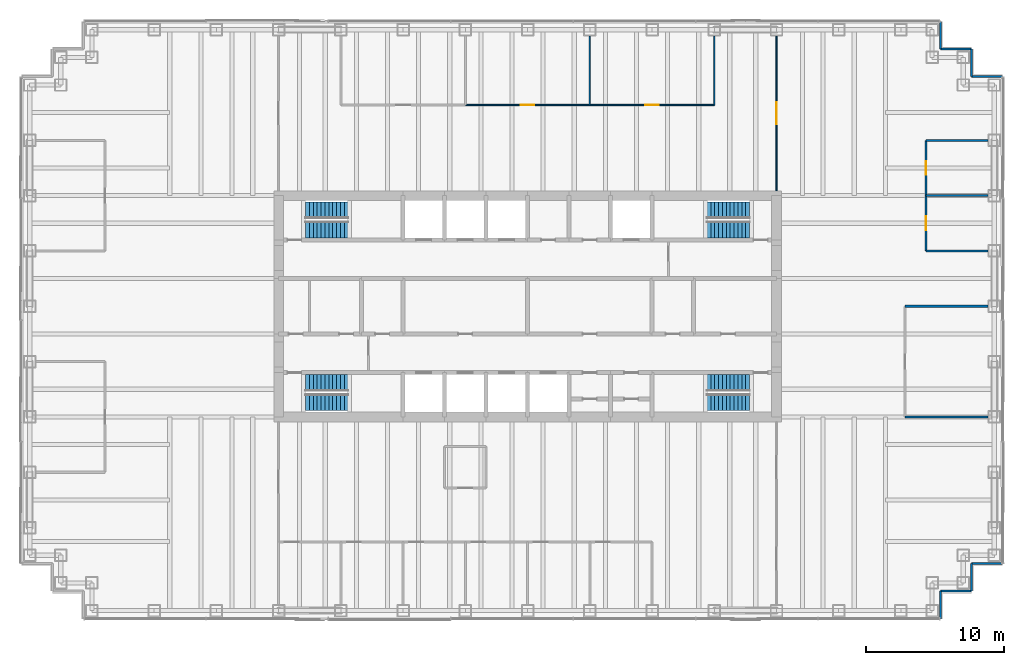
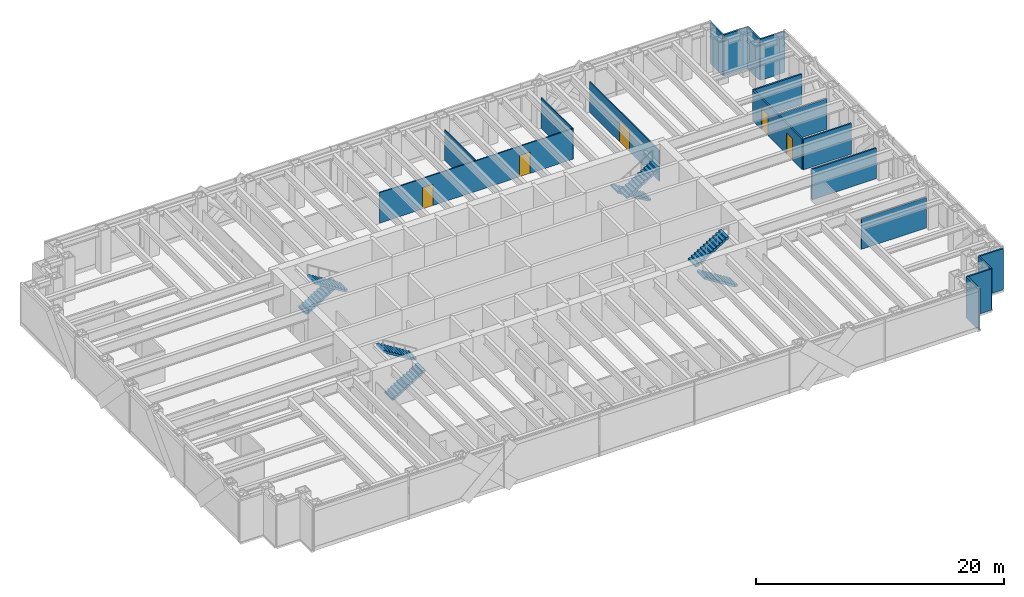
# One storey, part 16 of 17: 18 walls, 8 stair flights, 5 doors, 5 openings, 4 elements without a shape of their own.
"""IFC4 building model written with IfcOpenShell, lengths in metres."""

from ifc_helpers import new_model, si_unit, direction, frame, frame_2d, origin, place, context, subcontext, project, spatial, polyline, rectangle, outline, extrude, material, layer, layer_set, type_object, element, fill, aggregate, save


model = new_model("IFC4")

# Units and contexts
model_context = context("Model", 3, precision=1e-05, world=origin(), true_north=direction((0.0, 1.0)))
body_context = subcontext(model_context, "Body", "Model", "MODEL_VIEW")
ifc_project = project(units=[si_unit("LENGTHUNIT", "METRE"), si_unit("AREAUNIT", "SQUARE_METRE"), si_unit("VOLUMEUNIT", "CUBIC_METRE"), si_unit("PLANEANGLEUNIT", "RADIAN"), si_unit("MASSUNIT", "GRAM", prefix="KILO")], contexts=[model_context])

# Site, building, storey
site_placement = place(None, origin())
site = spatial("IfcSite", under=ifc_project, at=site_placement, CompositionType="ELEMENT")
building_placement = place(site_placement, origin())
building = spatial("IfcBuilding", under=site, at=building_placement, Name="Rheinbord Bourse Tower", CompositionType="ELEMENT")
storey_placement = place(building_placement, frame((0.0, 0.0, 287.89990234375)))
storey = spatial("IfcBuildingStorey", under=building, at=storey_placement, Name="L65", CompositionType="ELEMENT", Elevation=287.89990234375)

# Walls
ifc_material_1 = material(Name="Black metal rainscreen panel", Category="aluminium")
ifc_layer_1 = layer(ifc_material_1, 0.14990234375)
ifc_layer_set_1 = layer_set([ifc_layer_1], Name="CORNER PIER CLADDING 150")
wall_type_1 = type_object("IfcWallType", Name="CORNER PIER CLADDING 150", PredefinedType="ELEMENTEDWALL", material=ifc_layer_set_1)
wall_1_placement = place(storey_placement, frame((65.85009765625, 1.39990234375, 0.0), z_axis=(0.0, 0.0, 1.0), x_axis=(0.0, 1.0, 0.0)))
element("IfcWall", 1, at=wall_1_placement, inside=storey, type_object=wall_type_1, Name="Corner pier cladding L65 2", PredefinedType="ELEMENTEDWALL", context=body_context, shape_type="SweptSolid", body=[
    extrude(rectangle(XDim=2.0, YDim=0.14990234375, at=frame_2d((1.0, 0.0))), origin(), (0.0, 0.0, 1.0), 4.0400390625),
])
wall_2_placement = place(storey_placement, frame((65.85009765625, 3.39990234375, 0.0), z_axis=(0.0, 0.0, 1.0), x_axis=(1.0, 0.0, 0.0)))
element("IfcWall", 2, at=wall_2_placement, inside=storey, type_object=wall_type_1, Name="Corner pier cladding L65 3", PredefinedType="ELEMENTEDWALL", context=body_context, shape_type="SweptSolid", body=[
    extrude(rectangle(XDim=2.25, YDim=0.14990234375, at=frame_2d((1.125, 0.0))), origin(), (0.0, 0.0, 1.0), 4.0400390625),
])
wall_3_placement = place(storey_placement, frame((68.10009765625, 3.39990234375, 0.0), z_axis=(0.0, 0.0, 1.0), x_axis=(0.0, 1.0, 0.0)))
element("IfcWall", 3, at=wall_3_placement, inside=storey, type_object=wall_type_1, Name="Corner pier cladding L65 4", PredefinedType="ELEMENTEDWALL", context=body_context, shape_type="SweptSolid", body=[
    extrude(rectangle(XDim=2.0, YDim=0.14990234375, at=frame_2d((1.0, 0.0))), origin(), (0.0, 0.0, 1.0), 4.0400390625),
])
for number, where, z_axis, x_axis, name in (
    (4, (68.10009765625, 5.39990234375, 0.0), (0.0, 0.0, 1.0), (1.0, 0.0, 0.0), "Corner pier cladding L65 5"),
    (5, (70.35009765625, 40.60009765625, 0.0), (0.0, 0.0, 1.0), (-1.0, 0.0, 0.0), "Corner pier cladding L65 7"),
):
    element("IfcWall", number, at=place(storey_placement, frame(where, z_axis=z_axis, x_axis=x_axis)), inside=storey, type_object=wall_type_1, Name=name, PredefinedType="ELEMENTEDWALL", context=body_context, shape_type="SweptSolid", body=[
        extrude(rectangle(XDim=2.25, YDim=0.14990234375, at=frame_2d((1.125, 0.0))), origin(), (0.0, 0.0, 1.0), 4.0400390625),
    ])
wall_4_placement = place(storey_placement, frame((68.10009765625, 40.60009765625, 0.0), z_axis=(0.0, 0.0, 1.0), x_axis=(0.0, 1.0, 0.0)))
element("IfcWall", 6, at=wall_4_placement, inside=storey, type_object=wall_type_1, Name="Corner pier cladding L65 8", PredefinedType="ELEMENTEDWALL", context=body_context, shape_type="SweptSolid", body=[
    extrude(rectangle(XDim=2.0, YDim=0.14990234375, at=frame_2d((1.0, 0.0))), origin(), (0.0, 0.0, 1.0), 4.0400390625),
])
wall_5_placement = place(storey_placement, frame((68.10009765625, 42.60009765625, 0.0), z_axis=(0.0, 0.0, 1.0), x_axis=(-1.0, 0.0, 0.0)))
element("IfcWall", 7, at=wall_5_placement, inside=storey, type_object=wall_type_1, Name="Corner pier cladding L65 9", PredefinedType="ELEMENTEDWALL", context=body_context, shape_type="SweptSolid", body=[
    extrude(rectangle(XDim=2.25, YDim=0.14990234375, at=frame_2d((1.125, 0.0))), origin(), (0.0, 0.0, 1.0), 4.0400390625),
])
wall_6_placement = place(storey_placement, frame((65.85009765625, 42.60009765625, 0.0), z_axis=(0.0, 0.0, 1.0), x_axis=(0.0, 1.0, 0.0)))
element("IfcWall", 8, at=wall_6_placement, inside=storey, type_object=wall_type_1, Name="Corner pier cladding L65 10", PredefinedType="ELEMENTEDWALL", context=body_context, shape_type="SweptSolid", body=[
    extrude(rectangle(XDim=2.0, YDim=0.14990234375, at=frame_2d((1.0, 0.0))), origin(), (0.0, 0.0, 1.0), 4.0400390625),
])

# Wall, openings, doors
ifc_material_2 = material(Name="Toughened laminated glass partition", Category="glass")
ifc_layer_2 = layer(ifc_material_2, 0.10009765625)
ifc_layer_set_2 = layer_set([ifc_layer_2], Name="GLAZED PARTITION 100")
wall_type_2 = type_object("IfcWallType", Name="GLAZED PARTITION 100", PredefinedType="PARTITIONING", material=ifc_layer_set_2)
wall_7_placement = place(storey_placement, frame((31.5, 38.550048828125, 0.0), z_axis=(0.0, 0.0, 1.0), x_axis=(1.0, 0.0, 0.0)))
wall_7 = element("IfcWall", 9, at=wall_7_placement, inside=storey, type_object=wall_type_2, Name="Partition L65-14", PredefinedType="PARTITIONING", context=body_context, shape_type="SweptSolid", body=[
    extrude(rectangle(XDim=18.0, YDim=0.10009765625, at=frame_2d((9.0, 0.0))), origin(), (0.0, 0.0, 1.0), 3.0),
])
opening_1_placement = place(wall_7_placement, frame((4.0, 0.0, 0.0)))
opening_1 = element("IfcOpeningElement", 10, at=opening_1_placement, cuts=wall_7, Name="Opening 65D14", PredefinedType="OPENING", context=body_context, shape_type="SweptSolid", body=[
    extrude(rectangle(XDim=1.0, YDim=2.10009765625, at=frame_2d((0.5, 1.050048828125))), frame((0.0, 0.06005859375, 0.0), z_axis=(0.0, -1.0, 0.0), x_axis=(1.0, 0.0, 0.0)), (0.0, 0.0, 1.0), 0.1201171875),
])
opening_2_placement = place(wall_7_placement, frame((13.0, 0.0, 0.0)))
opening_2 = element("IfcOpeningElement", 11, at=opening_2_placement, cuts=wall_7, Name="Opening 65D15", PredefinedType="OPENING", context=body_context, shape_type="SweptSolid", body=[
    extrude(rectangle(XDim=1.0, YDim=2.10009765625, at=frame_2d((0.5, 1.050048828125))), frame((0.0, 0.06005859375, 0.0), z_axis=(0.0, -1.0, 0.0), x_axis=(1.0, 0.0, 0.0)), (0.0, 0.0, 1.0), 0.1201171875),
])
ifc_material_3 = material(Name="Timber door", Category="wood")
door_type_1 = type_object("IfcDoorType", Name="ROOM DOOR 1000", OperationType="SINGLE_SWING_LEFT", PredefinedType="DOOR", material=ifc_material_3)
door_1_placement = place(opening_1_placement, origin())
door_1 = element("IfcDoor", 12, at=door_1_placement, inside=storey, type_object=door_type_1, Name="Meeting room door L65", OperationType="SINGLE_SWING_LEFT", OverallHeight=2.10009765625, OverallWidth=1.0, PredefinedType="DOOR", context=body_context, shape_type="SweptSolid", body=[
    extrude(rectangle(XDim=1.0, YDim=2.10009765625, at=frame_2d((0.5, 1.050048828125))), frame((0.0, 0.02490234375, 0.0), z_axis=(0.0, -1.0, 0.0), x_axis=(1.0, 0.0, 0.0)), (0.0, 0.0, 1.0), 0.050048828125),
])
fill(opening_1, door_1)
door_2_placement = place(opening_2_placement, origin())
door_2 = element("IfcDoor", 13, at=door_2_placement, inside=storey, type_object=door_type_1, Name="Meeting room door L65", OperationType="SINGLE_SWING_RIGHT", OverallHeight=2.10009765625, OverallWidth=1.0, PredefinedType="DOOR", context=body_context, shape_type="SweptSolid", body=[
    extrude(rectangle(XDim=1.0, YDim=2.10009765625, at=frame_2d((0.5, 1.050048828125))), frame((0.0, 0.02490234375, 0.0), z_axis=(0.0, -1.0, 0.0), x_axis=(1.0, 0.0, 0.0)), (0.0, 0.0, 1.0), 0.050048828125),
])
fill(opening_2, door_2)

# Walls
for number, where, z_axis, x_axis, name in (
    (14, (40.5, 38.550048828125, 0.0), (0.0, 0.0, 1.0), (0.0, 1.0, 0.0), "Partition L65-29"),
    (15, (49.5, 38.550048828125, 0.0), (0.0, 0.0, 1.0), (0.0, 1.0, 0.0), "Partition L65-31"),
):
    element("IfcWall", number, at=place(storey_placement, frame(where, z_axis=z_axis, x_axis=x_axis)), inside=storey, type_object=wall_type_2, Name=name, PredefinedType="PARTITIONING", context=body_context, shape_type="SweptSolid", body=[
        extrude(rectangle(XDim=5.0, YDim=0.10009765625, at=frame_2d((2.5, 0.0))), origin(), (0.0, 0.0, 1.0), 3.0),
    ])

# Wall, opening, door
wall_8_placement = place(storey_placement, frame((54.0, 32.35009765625, 0.0), z_axis=(0.0, 0.0, 1.0), x_axis=(0.0, 1.0, 0.0)))
wall_8 = element("IfcWall", 16, at=wall_8_placement, inside=storey, type_object=wall_type_2, Name="Partition L65-33", PredefinedType="PARTITIONING", context=body_context, shape_type="SweptSolid", body=[
    extrude(rectangle(XDim=11.199951171875, YDim=0.10009765625, at=frame_2d((5.60009765625, 0.0))), origin(), (0.0, 0.0, 1.0), 3.0),
])
opening_3_placement = place(wall_8_placement, frame((4.800048828125, 0.0, 0.0)))
opening_3 = element("IfcOpeningElement", 17, at=opening_3_placement, cuts=wall_8, Name="Opening 65D20", PredefinedType="OPENING", context=body_context, shape_type="SweptSolid", body=[
    extrude(rectangle(XDim=1.60009765625, YDim=2.10009765625, at=frame_2d((0.800048828125, 1.050048828125))), frame((0.0, 0.06005859375, 0.0), z_axis=(0.0, -1.0, 0.0), x_axis=(1.0, 0.0, 0.0)), (0.0, 0.0, 1.0), 0.1201171875),
])
ifc_material_4 = material(Name="Timber door", Category="wood")
door_type_2 = type_object("IfcDoorType", Name="DOUBLE ROOM DOOR 1600", OperationType="DOUBLE_DOOR_DOUBLE_SWING", PredefinedType="DOOR", material=ifc_material_4)
door_3_placement = place(opening_3_placement, origin())
door_3 = element("IfcDoor", 18, at=door_3_placement, inside=storey, type_object=door_type_2, Name="Open area door L65", OperationType="SINGLE_SWING_LEFT", OverallHeight=2.10009765625, OverallWidth=1.60009765625, PredefinedType="DOOR", context=body_context, shape_type="SweptSolid", body=[
    extrude(rectangle(XDim=1.60009765625, YDim=2.10009765625, at=frame_2d((0.800048828125, 1.050048828125))), frame((0.0, 0.02490234375, 0.0), z_axis=(0.0, -1.0, 0.0), x_axis=(1.0, 0.0, 0.0)), (0.0, 0.0, 1.0), 0.050048828125),
])
fill(opening_3, door_3)

# Walls
ifc_material_5 = material(Name="Gypsum board partition", Category="gypsum board")
ifc_layer_3 = layer(ifc_material_5, 0.14990234375)
ifc_layer_set_3 = layer_set([ifc_layer_3], Name="PARTITION 150")
wall_type_3 = type_object("IfcWallType", Name="PARTITION 150", PredefinedType="PARTITIONING", material=ifc_layer_set_3)
for number, where, z_axis, x_axis, name in (
    (19, (63.300048828125, 16.0, 0.0), (0.0, 0.0, 1.0), (1.0, 0.0, 0.0), "Partition L65-05"),
    (20, (63.300048828125, 24.0, 0.0), (0.0, 0.0, 1.0), (1.0, 0.0, 0.0), "Partition L65-07"),
):
    element("IfcWall", number, at=place(storey_placement, frame(where, z_axis=z_axis, x_axis=x_axis)), inside=storey, type_object=wall_type_3, Name=name, PredefinedType="PARTITIONING", context=body_context, shape_type="SweptSolid", body=[
        extrude(rectangle(XDim=6.0, YDim=0.14990234375, at=frame_2d((3.0, 0.0))), origin(), (0.0, 0.0, 1.0), 3.0),
    ])
for number, where, z_axis, x_axis, name in (
    (21, (64.800048828125, 28.0, 0.0), (0.0, 0.0, 1.0), (1.0, 0.0, 0.0), "Partition L65-09"),
    (22, (64.800048828125, 32.0, 0.0), (0.0, 0.0, 1.0), (1.0, 0.0, 0.0), "Partition L65-10"),
    (23, (64.800048828125, 36.0, 0.0), (0.0, 0.0, 1.0), (1.0, 0.0, 0.0), "Partition L65-12"),
):
    element("IfcWall", number, at=place(storey_placement, frame(where, z_axis=z_axis, x_axis=x_axis)), inside=storey, type_object=wall_type_3, Name=name, PredefinedType="PARTITIONING", context=body_context, shape_type="SweptSolid", body=[
        extrude(rectangle(XDim=4.5, YDim=0.14990234375, at=frame_2d((2.25, 0.0))), origin(), (0.0, 0.0, 1.0), 3.0),
    ])

# Wall, openings, doors
wall_9_placement = place(storey_placement, frame((64.800048828125, 28.0, 0.0), z_axis=(0.0, 0.0, 1.0), x_axis=(0.0, 1.0, 0.0)))
wall_9 = element("IfcWall", 24, at=wall_9_placement, inside=storey, type_object=wall_type_3, Name="Partition L65-35", PredefinedType="PARTITIONING", context=body_context, shape_type="SweptSolid", body=[
    extrude(rectangle(XDim=8.0, YDim=0.14990234375, at=frame_2d((4.0, 0.0))), origin(), (0.0, 0.0, 1.0), 3.0),
])
opening_4_placement = place(wall_9_placement, frame((1.5, 0.0, 0.0)))
opening_4 = element("IfcOpeningElement", 25, at=opening_4_placement, cuts=wall_9, Name="Opening 65D10", PredefinedType="OPENING", context=body_context, shape_type="SweptSolid", body=[
    extrude(rectangle(XDim=1.0, YDim=2.10009765625, at=frame_2d((0.5, 1.050048828125))), frame((0.0, 0.0849609375, 0.0), z_axis=(0.0, -1.0, 0.0), x_axis=(1.0, 0.0, 0.0)), (0.0, 0.0, 1.0), 0.169921875),
])
opening_5_placement = place(wall_9_placement, frame((5.5, 0.0, 0.0)))
opening_5 = element("IfcOpeningElement", 26, at=opening_5_placement, cuts=wall_9, Name="Opening 65D12", PredefinedType="OPENING", context=body_context, shape_type="SweptSolid", body=[
    extrude(rectangle(XDim=1.0, YDim=2.10009765625, at=frame_2d((0.5, 1.050048828125))), frame((0.0, 0.0849609375, 0.0), z_axis=(0.0, -1.0, 0.0), x_axis=(1.0, 0.0, 0.0)), (0.0, 0.0, 1.0), 0.169921875),
])
door_4_placement = place(opening_4_placement, origin())
door_4 = element("IfcDoor", 27, at=door_4_placement, inside=storey, type_object=door_type_1, Name="Office door L65", OperationType="SINGLE_SWING_LEFT", OverallHeight=2.10009765625, OverallWidth=1.0, PredefinedType="DOOR", context=body_context, shape_type="SweptSolid", body=[
    extrude(rectangle(XDim=1.0, YDim=2.10009765625, at=frame_2d((0.5, 1.050048828125))), frame((0.0, 0.02490234375, 0.0), z_axis=(0.0, -1.0, 0.0), x_axis=(1.0, 0.0, 0.0)), (0.0, 0.0, 1.0), 0.050048828125),
])
fill(opening_4, door_4)
door_5_placement = place(opening_5_placement, origin())
door_5 = element("IfcDoor", 28, at=door_5_placement, inside=storey, type_object=door_type_1, Name="Office door L65", OperationType="SINGLE_SWING_RIGHT", OverallHeight=2.10009765625, OverallWidth=1.0, PredefinedType="DOOR", context=body_context, shape_type="SweptSolid", body=[
    extrude(rectangle(XDim=1.0, YDim=2.10009765625, at=frame_2d((0.5, 1.050048828125))), frame((0.0, 0.02490234375, 0.0), z_axis=(0.0, -1.0, 0.0), x_axis=(1.0, 0.0, 0.0)), (0.0, 0.0, 1.0), 0.050048828125),
])
fill(opening_5, door_5)

# Stair, stair flights
ifc_material_6 = material(Name="Concrete C30/37", Category="concrete")
stair_type = type_object("IfcStairType", Name="CORE STAIR HALF TURN 4200", PredefinedType="HALF_TURN_STAIR", material=ifc_material_6)
stair_1_placement = place(storey_placement, origin())
stair_1 = element("IfcStair", 29, at=stair_1_placement, inside=storey, type_object=stair_type, Name="Stair ST1 L65, type CS6", PredefinedType="HALF_TURN_STAIR")
ifc_material_7 = material(Name="Concrete C30/37", Category="concrete")
stair_flight_type = type_object("IfcStairFlightType", Name="CORE STAIR FLIGHT 1200, 12 RISERS", PredefinedType="STRAIGHT", material=ifc_material_7)
stair_flight_1_placement = place(storey_placement, frame((19.949951171875, 17.050048828125, 0.0), z_axis=(0.0, 0.0, 1.0), x_axis=(1.0, 0.0, 0.0)))
stair_flight_1 = element("IfcStairFlight", 30, at=stair_flight_1_placement, type_object=stair_flight_type, Name="STAIR L65 ST1 F1", NumberOfRisers=12, NumberOfTreads=11, PredefinedType="STRAIGHT", RiserHeight=0.175, TreadLength=0.28, context=body_context, shape_type="SweptSolid", body=[
    extrude(outline(polyline([(0.0, 0.0), (0.0, 0.175048828125), (0.280029296875, 0.175048828125), (0.280029296875, 0.35009765625), (0.56005859375, 0.35009765625), (0.56005859375, 0.52490234375), (0.840087890625, 0.52490234375), (0.840087890625, 0.699951171875), (1.1201171875, 0.699951171875), (1.1201171875, 0.875), (1.39990234375, 0.875), (1.39990234375, 1.050048828125), (1.679931640625, 1.050048828125), (1.679931640625, 1.22509765625), (1.9599609375, 1.22509765625), (1.9599609375, 1.39990234375), (2.239990234375, 1.39990234375), (2.239990234375, 1.574951171875), (2.52001953125, 1.574951171875), (2.52001953125, 1.75), (2.800048828125, 1.75), (2.800048828125, 1.925048828125), (3.080078125, 1.925048828125), (3.080078125, 2.10009765625), (3.080078125, 1.748291015625), (0.28271484375, 0.0), (0.0, 0.0)])), frame((0.0, 0.60009765625, 0.0), z_axis=(0.0, -1.0, 0.0), x_axis=(1.0, 0.0, 0.0)), (0.0, 0.0, 1.0), 1.199951171875),
])
stair_flight_2_placement = place(storey_placement, frame((23.030029296875, 18.449951171875, 2.10009765625), z_axis=(0.0, 0.0, 1.0), x_axis=(-1.0, 0.0, 0.0)))
stair_flight_2 = element("IfcStairFlight", 31, at=stair_flight_2_placement, type_object=stair_flight_type, Name="STAIR L65 ST1 F2", NumberOfRisers=12, NumberOfTreads=11, PredefinedType="STRAIGHT", RiserHeight=0.175, TreadLength=0.28, context=body_context, shape_type="SweptSolid", body=[
    extrude(outline(polyline([(0.0, 0.0), (0.0, 0.175048828125), (0.280029296875, 0.175048828125), (0.280029296875, 0.35009765625), (0.56005859375, 0.35009765625), (0.56005859375, 0.52490234375), (0.840087890625, 0.52490234375), (0.840087890625, 0.699951171875), (1.1201171875, 0.699951171875), (1.1201171875, 0.875), (1.39990234375, 0.875), (1.39990234375, 1.050048828125), (1.679931640625, 1.050048828125), (1.679931640625, 1.22509765625), (1.9599609375, 1.22509765625), (1.9599609375, 1.39990234375), (2.239990234375, 1.39990234375), (2.239990234375, 1.574951171875), (2.52001953125, 1.574951171875), (2.52001953125, 1.75), (2.800048828125, 1.75), (2.800048828125, 1.925048828125), (3.080078125, 1.925048828125), (3.080078125, 2.10009765625), (3.080078125, 1.748291015625), (0.28271484375, 0.0), (0.0, 0.0)])), frame((0.0, 0.60009765625, 0.0), z_axis=(0.0, -1.0, 0.0), x_axis=(1.0, 0.0, 0.0)), (0.0, 0.0, 1.0), 1.199951171875),
])
aggregate(stair_1, [stair_flight_1, stair_flight_2])

stair_2_placement = place(storey_placement, origin())
stair_2 = element("IfcStair", 32, at=stair_2_placement, inside=storey, type_object=stair_type, Name="Stair ST2 L65, type CS6", PredefinedType="HALF_TURN_STAIR")
stair_flight_3_placement = place(storey_placement, frame((19.949951171875, 30.949951171875, 0.0), z_axis=(0.0, 0.0, 1.0), x_axis=(1.0, 0.0, 0.0)))
stair_flight_3 = element("IfcStairFlight", 33, at=stair_flight_3_placement, type_object=stair_flight_type, Name="STAIR L65 ST2 F1", NumberOfRisers=12, NumberOfTreads=11, PredefinedType="STRAIGHT", RiserHeight=0.175, TreadLength=0.28, context=body_context, shape_type="SweptSolid", body=[
    extrude(outline(polyline([(0.0, 0.0), (0.0, 0.175048828125), (0.280029296875, 0.175048828125), (0.280029296875, 0.35009765625), (0.56005859375, 0.35009765625), (0.56005859375, 0.52490234375), (0.840087890625, 0.52490234375), (0.840087890625, 0.699951171875), (1.1201171875, 0.699951171875), (1.1201171875, 0.875), (1.39990234375, 0.875), (1.39990234375, 1.050048828125), (1.679931640625, 1.050048828125), (1.679931640625, 1.22509765625), (1.9599609375, 1.22509765625), (1.9599609375, 1.39990234375), (2.239990234375, 1.39990234375), (2.239990234375, 1.574951171875), (2.52001953125, 1.574951171875), (2.52001953125, 1.75), (2.800048828125, 1.75), (2.800048828125, 1.925048828125), (3.080078125, 1.925048828125), (3.080078125, 2.10009765625), (3.080078125, 1.748291015625), (0.28271484375, 0.0), (0.0, 0.0)])), frame((0.0, 0.60009765625, 0.0), z_axis=(0.0, -1.0, 0.0), x_axis=(1.0, 0.0, 0.0)), (0.0, 0.0, 1.0), 1.199951171875),
])
stair_flight_4_placement = place(storey_placement, frame((23.030029296875, 29.550048828125, 2.10009765625), z_axis=(0.0, 0.0, 1.0), x_axis=(-1.0, 0.0, 0.0)))
stair_flight_4 = element("IfcStairFlight", 34, at=stair_flight_4_placement, type_object=stair_flight_type, Name="STAIR L65 ST2 F2", NumberOfRisers=12, NumberOfTreads=11, PredefinedType="STRAIGHT", RiserHeight=0.175, TreadLength=0.28, context=body_context, shape_type="SweptSolid", body=[
    extrude(outline(polyline([(0.0, 0.0), (0.0, 0.175048828125), (0.280029296875, 0.175048828125), (0.280029296875, 0.35009765625), (0.56005859375, 0.35009765625), (0.56005859375, 0.52490234375), (0.840087890625, 0.52490234375), (0.840087890625, 0.699951171875), (1.1201171875, 0.699951171875), (1.1201171875, 0.875), (1.39990234375, 0.875), (1.39990234375, 1.050048828125), (1.679931640625, 1.050048828125), (1.679931640625, 1.22509765625), (1.9599609375, 1.22509765625), (1.9599609375, 1.39990234375), (2.239990234375, 1.39990234375), (2.239990234375, 1.574951171875), (2.52001953125, 1.574951171875), (2.52001953125, 1.75), (2.800048828125, 1.75), (2.800048828125, 1.925048828125), (3.080078125, 1.925048828125), (3.080078125, 2.10009765625), (3.080078125, 1.748291015625), (0.28271484375, 0.0), (0.0, 0.0)])), frame((0.0, 0.60009765625, 0.0), z_axis=(0.0, -1.0, 0.0), x_axis=(1.0, 0.0, 0.0)), (0.0, 0.0, 1.0), 1.199951171875),
])
aggregate(stair_2, [stair_flight_3, stair_flight_4])

stair_3_placement = place(storey_placement, origin())
stair_3 = element("IfcStair", 35, at=stair_3_placement, inside=storey, type_object=stair_type, Name="Stair ST3 L65, type CS6", PredefinedType="HALF_TURN_STAIR")
stair_flight_5_placement = place(storey_placement, frame((52.050048828125, 17.050048828125, 0.0), z_axis=(0.0, 0.0, 1.0), x_axis=(-1.0, 0.0, 0.0)))
stair_flight_5 = element("IfcStairFlight", 36, at=stair_flight_5_placement, type_object=stair_flight_type, Name="STAIR L65 ST3 F1", NumberOfRisers=12, NumberOfTreads=11, PredefinedType="STRAIGHT", RiserHeight=0.175, TreadLength=0.28, context=body_context, shape_type="SweptSolid", body=[
    extrude(outline(polyline([(0.0, 0.0), (0.0, 0.175048828125), (0.280029296875, 0.175048828125), (0.280029296875, 0.35009765625), (0.56005859375, 0.35009765625), (0.56005859375, 0.52490234375), (0.840087890625, 0.52490234375), (0.840087890625, 0.699951171875), (1.1201171875, 0.699951171875), (1.1201171875, 0.875), (1.39990234375, 0.875), (1.39990234375, 1.050048828125), (1.679931640625, 1.050048828125), (1.679931640625, 1.22509765625), (1.9599609375, 1.22509765625), (1.9599609375, 1.39990234375), (2.239990234375, 1.39990234375), (2.239990234375, 1.574951171875), (2.52001953125, 1.574951171875), (2.52001953125, 1.75), (2.800048828125, 1.75), (2.800048828125, 1.925048828125), (3.080078125, 1.925048828125), (3.080078125, 2.10009765625), (3.080078125, 1.748291015625), (0.28271484375, 0.0), (0.0, 0.0)])), frame((0.0, 0.60009765625, 0.0), z_axis=(0.0, -1.0, 0.0), x_axis=(1.0, 0.0, 0.0)), (0.0, 0.0, 1.0), 1.199951171875),
])
stair_flight_6_placement = place(storey_placement, frame((48.969970703125, 18.449951171875, 2.10009765625), z_axis=(0.0, 0.0, 1.0), x_axis=(1.0, 0.0, 0.0)))
stair_flight_6 = element("IfcStairFlight", 37, at=stair_flight_6_placement, type_object=stair_flight_type, Name="STAIR L65 ST3 F2", NumberOfRisers=12, NumberOfTreads=11, PredefinedType="STRAIGHT", RiserHeight=0.175, TreadLength=0.28, context=body_context, shape_type="SweptSolid", body=[
    extrude(outline(polyline([(0.0, 0.0), (0.0, 0.175048828125), (0.280029296875, 0.175048828125), (0.280029296875, 0.35009765625), (0.56005859375, 0.35009765625), (0.56005859375, 0.52490234375), (0.840087890625, 0.52490234375), (0.840087890625, 0.699951171875), (1.1201171875, 0.699951171875), (1.1201171875, 0.875), (1.39990234375, 0.875), (1.39990234375, 1.050048828125), (1.679931640625, 1.050048828125), (1.679931640625, 1.22509765625), (1.9599609375, 1.22509765625), (1.9599609375, 1.39990234375), (2.239990234375, 1.39990234375), (2.239990234375, 1.574951171875), (2.52001953125, 1.574951171875), (2.52001953125, 1.75), (2.800048828125, 1.75), (2.800048828125, 1.925048828125), (3.080078125, 1.925048828125), (3.080078125, 2.10009765625), (3.080078125, 1.748291015625), (0.28271484375, 0.0), (0.0, 0.0)])), frame((0.0, 0.60009765625, 0.0), z_axis=(0.0, -1.0, 0.0), x_axis=(1.0, 0.0, 0.0)), (0.0, 0.0, 1.0), 1.199951171875),
])
aggregate(stair_3, [stair_flight_5, stair_flight_6])

stair_4_placement = place(storey_placement, origin())
stair_4 = element("IfcStair", 38, at=stair_4_placement, inside=storey, type_object=stair_type, Name="Stair ST4 L65, type CS6", PredefinedType="HALF_TURN_STAIR")
stair_flight_7_placement = place(storey_placement, frame((52.050048828125, 30.949951171875, 0.0), z_axis=(0.0, 0.0, 1.0), x_axis=(-1.0, 0.0, 0.0)))
stair_flight_7 = element("IfcStairFlight", 39, at=stair_flight_7_placement, type_object=stair_flight_type, Name="STAIR L65 ST4 F1", NumberOfRisers=12, NumberOfTreads=11, PredefinedType="STRAIGHT", RiserHeight=0.175, TreadLength=0.28, context=body_context, shape_type="SweptSolid", body=[
    extrude(outline(polyline([(0.0, 0.0), (0.0, 0.175048828125), (0.280029296875, 0.175048828125), (0.280029296875, 0.35009765625), (0.56005859375, 0.35009765625), (0.56005859375, 0.52490234375), (0.840087890625, 0.52490234375), (0.840087890625, 0.699951171875), (1.1201171875, 0.699951171875), (1.1201171875, 0.875), (1.39990234375, 0.875), (1.39990234375, 1.050048828125), (1.679931640625, 1.050048828125), (1.679931640625, 1.22509765625), (1.9599609375, 1.22509765625), (1.9599609375, 1.39990234375), (2.239990234375, 1.39990234375), (2.239990234375, 1.574951171875), (2.52001953125, 1.574951171875), (2.52001953125, 1.75), (2.800048828125, 1.75), (2.800048828125, 1.925048828125), (3.080078125, 1.925048828125), (3.080078125, 2.10009765625), (3.080078125, 1.748291015625), (0.28271484375, 0.0), (0.0, 0.0)])), frame((0.0, 0.60009765625, 0.0), z_axis=(0.0, -1.0, 0.0), x_axis=(1.0, 0.0, 0.0)), (0.0, 0.0, 1.0), 1.199951171875),
])
stair_flight_8_placement = place(storey_placement, frame((48.969970703125, 29.550048828125, 2.10009765625), z_axis=(0.0, 0.0, 1.0), x_axis=(1.0, 0.0, 0.0)))
stair_flight_8 = element("IfcStairFlight", 40, at=stair_flight_8_placement, type_object=stair_flight_type, Name="STAIR L65 ST4 F2", NumberOfRisers=12, NumberOfTreads=11, PredefinedType="STRAIGHT", RiserHeight=0.175, TreadLength=0.28, context=body_context, shape_type="SweptSolid", body=[
    extrude(outline(polyline([(0.0, 0.0), (0.0, 0.175048828125), (0.280029296875, 0.175048828125), (0.280029296875, 0.35009765625), (0.56005859375, 0.35009765625), (0.56005859375, 0.52490234375), (0.840087890625, 0.52490234375), (0.840087890625, 0.699951171875), (1.1201171875, 0.699951171875), (1.1201171875, 0.875), (1.39990234375, 0.875), (1.39990234375, 1.050048828125), (1.679931640625, 1.050048828125), (1.679931640625, 1.22509765625), (1.9599609375, 1.22509765625), (1.9599609375, 1.39990234375), (2.239990234375, 1.39990234375), (2.239990234375, 1.574951171875), (2.52001953125, 1.574951171875), (2.52001953125, 1.75), (2.800048828125, 1.75), (2.800048828125, 1.925048828125), (3.080078125, 1.925048828125), (3.080078125, 2.10009765625), (3.080078125, 1.748291015625), (0.28271484375, 0.0), (0.0, 0.0)])), frame((0.0, 0.60009765625, 0.0), z_axis=(0.0, -1.0, 0.0), x_axis=(1.0, 0.0, 0.0)), (0.0, 0.0, 1.0), 1.199951171875),
])
aggregate(stair_4, [stair_flight_7, stair_flight_8])

save(model, "model.ifc")
